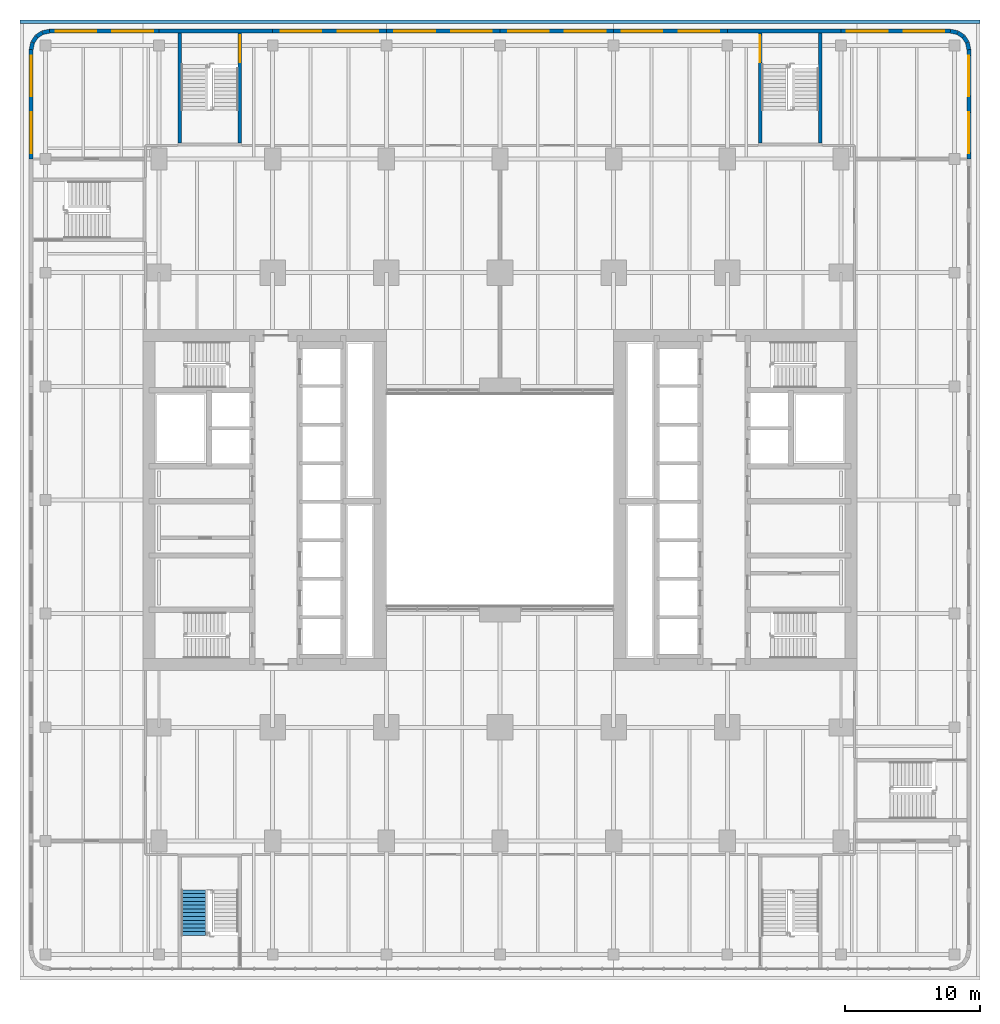
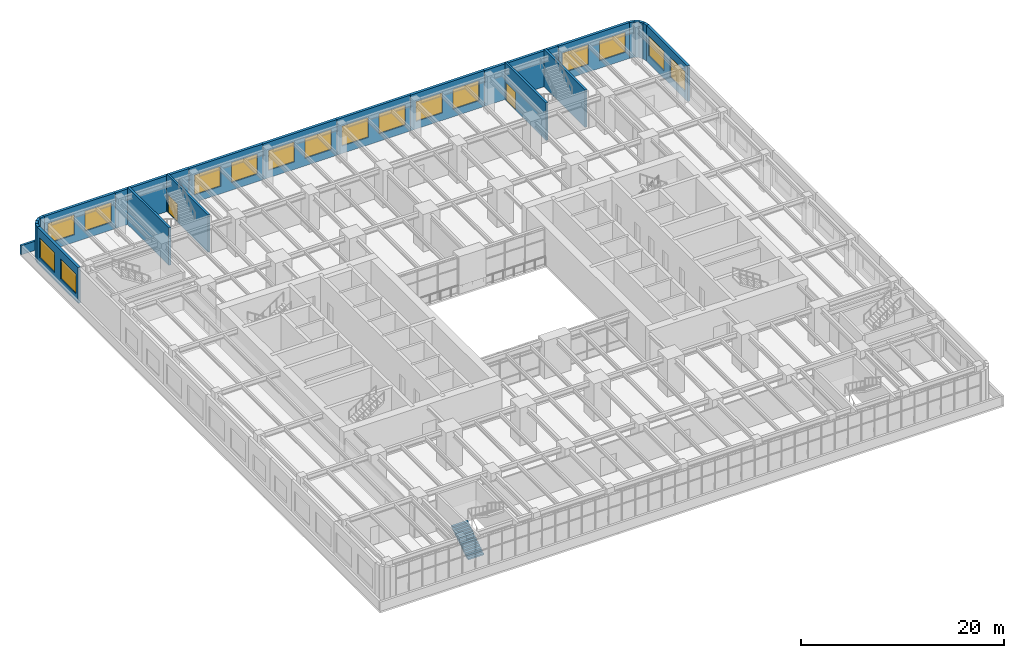
# One storey, part 22 of 30: 23 walls, 16 windows, 2 doors, 1 stair flight, 18 openings, 1 element without a shape of its own.
"""IFC4 building model written with IfcOpenShell, lengths in metres."""

import ifcopenshell
import ifcopenshell.guid

model = None  # the IFC model being written
_history = None  # IfcOwnerHistory: only IFC2X3 demands one
_inside = {}  # id of a spatial element -> (the spatial element, [elements in it])
_under = {}  # id of a project, library or spatial element -> (it, [spatial elements below it])
_declared = {}  # id of a project -> (the project, [libraries it declares])
_typed = {}  # id of a type object -> (the type object, [elements of that type])
_made_of = {}  # id of a material, layer set ... -> (it, [elements and type objects made of it])


def new_model(schema):
    """Start an empty IFC model of exactly this schema.

    Asked for "IFC4X3", IfcOpenShell would pick the latest addendum, in which some entities
    have other attributes; the version numbers below select the first issue.
    IFC2X3 requires an IfcOwnerHistory on every rooted entity: one is made here for all.
    """
    global model, _history
    if schema == "IFC4X3":
        model = ifcopenshell.file(schema_version=(4, 3, 0, 0))
    else:
        model = ifcopenshell.file(schema=schema)
    _inside.clear()
    _under.clear()
    _declared.clear()
    _typed.clear()
    _made_of.clear()
    _history = None
    if model.schema == "IFC2X3":
        org = make("IfcOrganization", Name="unknown")
        user = make(
            "IfcPersonAndOrganization",
            ThePerson=make("IfcPerson", FamilyName="unknown"),
            TheOrganization=org,
        )
        app = make(
            "IfcApplication",
            ApplicationDeveloper=org,
            Version="unknown",
            ApplicationFullName="unknown",
            ApplicationIdentifier="unknown",
        )
        _history = make(
            "IfcOwnerHistory",
            OwningUser=user,
            OwningApplication=app,
            ChangeAction="ADDED",
            CreationDate=0,
        )
    return model


def make(cls, **values):
    """One entity of the class cls with the attributes given. An attribute that is None is left unset."""
    return model.create_entity(
        cls, **{name: value for name, value in values.items() if value is not None}
    )


def rooted(cls, **values):
    """An entity with a GlobalId (a new one), such as an element, a storey or a relation."""
    return make(cls, GlobalId=ifcopenshell.guid.new(), OwnerHistory=_history, **values)


def si_unit(unit_type, name, prefix=None):
    """IfcSIUnit, for example si_unit("LENGTHUNIT", "METRE", prefix="MILLI")."""
    return make("IfcSIUnit", UnitType=unit_type, Prefix=prefix, Name=name)


def assignment(units):
    """IfcUnitAssignment: the units of a project."""
    return None if units is None else make("IfcUnitAssignment", Units=units)


def point(xyz):
    """IfcCartesianPoint."""
    return None if xyz is None else make("IfcCartesianPoint", Coordinates=xyz)


def direction(xyz):
    """IfcDirection."""
    return None if xyz is None else make("IfcDirection", DirectionRatios=xyz)


def frame(location, z_axis=None, x_axis=None):
    """IfcAxis2Placement3D, a coordinate frame: its origin and axes. An axis left out is left unset."""
    return make(
        "IfcAxis2Placement3D",
        Location=point(location),
        Axis=direction(z_axis),
        RefDirection=direction(x_axis),
    )


def frame_2d(location, x_axis=None):
    """IfcAxis2Placement2D, a coordinate frame in the plane: its origin and x axis."""
    return make(
        "IfcAxis2Placement2D", Location=point(location), RefDirection=direction(x_axis)
    )


def origin():
    """The frame at (0, 0, 0) with its axes left unset."""
    return frame((0.0, 0.0, 0.0))


def place(relative_to, where):
    """IfcLocalPlacement: puts the frame where relative to a parent placement (None: the world)."""
    return make(
        "IfcLocalPlacement", PlacementRelTo=relative_to, RelativePlacement=where
    )


def context(
    kind, dimensions, precision=None, world=None, true_north=None, identifier=None
):
    """IfcGeometricRepresentationContext, for example the 3D "Model" context."""
    return make(
        "IfcGeometricRepresentationContext",
        ContextIdentifier=identifier,
        ContextType=kind,
        CoordinateSpaceDimension=dimensions,
        Precision=precision,
        WorldCoordinateSystem=world,
        TrueNorth=true_north,
    )


def subcontext(parent, identifier, kind, view, scale=None):
    """IfcGeometricRepresentationSubContext, for example "Body" below "Model"."""
    return make(
        "IfcGeometricRepresentationSubContext",
        ContextIdentifier=identifier,
        ContextType=kind,
        ParentContext=parent,
        TargetScale=scale,
        TargetView=view,
    )


def project(units=None, contexts=None):
    """IfcProject with its units and contexts."""
    return rooted(
        "IfcProject",
        Name="project",
        RepresentationContexts=contexts,
        UnitsInContext=assignment(units),
    )


def spatial(cls, under=None, at=None, **own):
    """A site, building, storey or space (cls), placed at a placement, below another one or the project."""
    s = rooted(cls, ObjectPlacement=at, **own)
    if under is not None:
        _under.setdefault(under.id(), (under, []))[1].append(s)
    return s


def polyline(points):
    """IfcPolyline through the points."""
    return make("IfcPolyline", Points=[point(p) for p in points])


def profile(cls, at=None, kind="AREA", **sizes):
    """A parametric profile (cls). Its sizes go by their IFC names, for example OverallWidth=200.0."""
    return make(cls, ProfileType=kind, Position=at, **sizes)


def rectangle(**sizes):
    """IfcRectangleProfileDef."""
    return profile("IfcRectangleProfileDef", **sizes)


def outline(outer, holes=None, kind="AREA"):
    """IfcArbitraryClosedProfileDef: a profile drawn as a closed curve; with holes, ...WithVoids."""
    if holes is None:
        return make("IfcArbitraryClosedProfileDef", ProfileType=kind, OuterCurve=outer)
    return make(
        "IfcArbitraryProfileDefWithVoids",
        ProfileType=kind,
        OuterCurve=outer,
        InnerCurves=holes,
    )


def extrude(swept, where, along, depth):
    """IfcExtrudedAreaSolid: the profile swept, set in the frame where, extruded along a direction by depth."""
    return make(
        "IfcExtrudedAreaSolid",
        SweptArea=swept,
        Position=where,
        ExtrudedDirection=direction(along),
        Depth=depth,
    )


def shape(context_of_items, identifier, shape_type, items):
    """IfcShapeRepresentation: the items that make up one representation, for example the "Body"."""
    return make(
        "IfcShapeRepresentation",
        ContextOfItems=context_of_items,
        RepresentationIdentifier=identifier,
        RepresentationType=shape_type,
        Items=items,
    )


def material(Name=None, Category=None):
    """IfcMaterial."""
    return make("IfcMaterial", Name=Name, Category=Category)


def layer(
    of_material, thickness, ventilated=None, Name=None, Category=None, Priority=None
):
    """IfcMaterialLayer: one layer of a wall or slab, of a material (None: an air gap)."""
    return make(
        "IfcMaterialLayer",
        Material=of_material,
        LayerThickness=thickness,
        IsVentilated=ventilated,
        Name=Name,
        Category=Category,
        Priority=Priority,
    )


def layer_set(layers, Name=None):
    """IfcMaterialLayerSet."""
    return make("IfcMaterialLayerSet", MaterialLayers=layers, LayerSetName=Name)


def made_of(thing, what):
    """Note that an element or type object is made of a material, layer set ...; save() writes the relation."""
    if what is not None:
        _made_of.setdefault(what.id(), (what, []))[1].append(thing)
    return thing


def type_object(cls, material=None, **own):
    """A type object (cls), such as IfcWallType, which elements share."""
    return made_of(rooted(cls, **own), material)


def element(
    cls,
    number,
    at=None,
    inside=None,
    cuts=None,
    type_object=None,
    material=None,
    context=None,
    identifier="Body",
    shape_type=None,
    held_by="IfcProductDefinitionShape",
    body=None,
    shapes=None,
    **own,
):
    """One element of the class cls, such as IfcWall. Its Tag is "e" and its number.

    at: its placement. inside: the storey or other place that contains it. cuts: it is an
    opening in that element (IfcRelVoidsElement). A single representation is given by context,
    identifier, shape_type and body (its items); several are given by shapes. held_by: the class
    of the entity that holds the representations. save() writes the other relations.
    """
    e = rooted(cls, Tag="e%d" % number, ObjectPlacement=at, **own)
    if body is not None:
        shapes = [shape(context, identifier, shape_type, body)]
    if shapes is not None:
        e.Representation = make(held_by, Representations=shapes)
    if inside is not None:
        _inside.setdefault(inside.id(), (inside, []))[1].append(e)
    if cuts is not None:
        rooted(
            "IfcRelVoidsElement", RelatingBuildingElement=cuts, RelatedOpeningElement=e
        )
    if type_object is not None:
        _typed.setdefault(type_object.id(), (type_object, []))[1].append(e)
    return made_of(e, material)


def fill(opening, filler):
    """IfcRelFillsElement: the door or window that sits in an opening."""
    return rooted(
        "IfcRelFillsElement",
        RelatingOpeningElement=opening,
        RelatedBuildingElement=filler,
    )


def aggregate(whole, parts):
    """IfcRelAggregates: a whole, such as a stair, and the parts it consists of."""
    return rooted("IfcRelAggregates", RelatingObject=whole, RelatedObjects=parts)


def save(model, path):
    """Write the relations noted so far, then the file.

    IfcRelAggregates (storeys below a building ...), IfcRelContainedInSpatialStructure (elements
    in a storey), IfcRelDefinesByType, IfcRelAssociatesMaterial and IfcRelDeclares: one each for
    every whole, place, type object, material and project.
    """
    for whole, parts in _under.values():
        aggregate(whole, parts)
    for where, things in _inside.values():
        rooted(
            "IfcRelContainedInSpatialStructure",
            RelatedElements=things,
            RelatingStructure=where,
        )
    for kind, things in _typed.values():
        rooted("IfcRelDefinesByType", RelatedObjects=things, RelatingType=kind)
    for what, things in _made_of.values():
        rooted("IfcRelAssociatesMaterial", RelatedObjects=things, RelatingMaterial=what)
    for by, libraries in _declared.values():
        rooted("IfcRelDeclares", RelatingContext=by, RelatedDefinitions=libraries)
    model.write(path)


model = new_model("IFC4")

# Units and contexts
model_context = context("Model", 3, precision=1e-05, world=origin(), true_north=direction((0.0, 1.0)))
body_context = subcontext(model_context, "Body", "Model", "MODEL_VIEW")
ifc_project = project(units=[si_unit("LENGTHUNIT", "METRE"), si_unit("AREAUNIT", "SQUARE_METRE"), si_unit("VOLUMEUNIT", "CUBIC_METRE"), si_unit("PLANEANGLEUNIT", "RADIAN"), si_unit("MASSUNIT", "GRAM", prefix="KILO")], contexts=[model_context])

# Site, building, storey
site_placement = place(None, origin())
site = spatial("IfcSite", under=ifc_project, at=site_placement, CompositionType="ELEMENT")
building_placement = place(site_placement, origin())
building = spatial("IfcBuilding", under=site, at=building_placement, Name="Claustro Exchange Tower", CompositionType="ELEMENT")
storey_placement = place(building_placement, frame((0.0, 0.0, 5.39990234375)))
storey = spatial("IfcBuildingStorey", under=building, at=storey_placement, Name="L01", CompositionType="ELEMENT", Elevation=5.39990234375)

# Wall, openings, windows
ifc_material_1 = material(Name="Concrete HA-40 (C40/50), precast, white cement, acid-etched", Category="concrete")
ifc_layer_1 = layer(ifc_material_1, 0.300048828125)
ifc_layer_set_1 = layer_set([ifc_layer_1], Name="Concrete HA-40 (C40/50), precast, white cement, acid-etched")
wall_type_1 = type_object("IfcWallType", Name="PC1 300 precast concrete pier panel", PredefinedType="SOLIDWALL", material=ifc_layer_set_1)
wall_1_placement = place(storey_placement, frame((-9.449951171875, 50.39990234375, 0.0), z_axis=(0.0, 0.0, 1.0), x_axis=(0.0, 1.0, 0.0)))
wall_1 = element("IfcWall", 1, at=wall_1_placement, inside=storey, type_object=wall_type_1, Name="Precast pier panel PC1 L01", PredefinedType="SOLIDWALL", context=body_context, shape_type="SweptSolid", body=[
    extrude(rectangle(XDim=8.085205078125, YDim=0.300048828125, at=frame_2d((4.04248046875, 0.0))), origin(), (0.0, 0.0, 1.0), 4.300048828125),
])
opening_1_placement = place(wall_1_placement, frame((0.442626953125, 0.0, 0.89990234375)))
opening_1 = element("IfcOpeningElement", 2, at=opening_1_placement, cuts=wall_1, Name="Opening W3", PredefinedType="OPENING", context=body_context, shape_type="SweptSolid", body=[
    extrude(rectangle(XDim=3.0, YDim=2.39990234375, at=frame_2d((1.5, 1.199951171875))), frame((0.0, 0.159912109375, 0.0), z_axis=(0.0, -1.0, 0.0), x_axis=(1.0, 0.0, 0.0)), (0.0, 0.0, 1.0), 0.320068359375),
])
opening_2_placement = place(wall_1_placement, frame((4.642578125, 0.0, 0.89990234375)))
opening_2 = element("IfcOpeningElement", 3, at=opening_2_placement, cuts=wall_1, Name="Opening W3", PredefinedType="OPENING", context=body_context, shape_type="SweptSolid", body=[
    extrude(rectangle(XDim=3.0, YDim=2.39990234375, at=frame_2d((1.5, 1.199951171875))), frame((0.0, 0.159912109375, 0.0), z_axis=(0.0, -1.0, 0.0), x_axis=(1.0, 0.0, 0.0)), (0.0, 0.0, 1.0), 0.320068359375),
])
ifc_material_2 = material(Name="Aluminium frame, clear double glazing", Category="aluminium")
window_type = type_object("IfcWindowType", Name="W3 3000 x 2400 window", PartitioningType="SINGLE_PANEL", PredefinedType="WINDOW", material=ifc_material_2)
window_1_placement = place(opening_1_placement, origin())
window_1 = element("IfcWindow", 4, at=window_1_placement, inside=storey, type_object=window_type, Name="Window W3 L01", OverallHeight=2.39990234375, OverallWidth=3.0, PartitioningType="SINGLE_PANEL", PredefinedType="WINDOW", context=body_context, shape_type="SweptSolid", body=[
    extrude(rectangle(XDim=3.0, YDim=2.39990234375, at=frame_2d((1.5, 1.199951171875))), frame((0.0, 0.030029296875, 0.0), z_axis=(0.0, -1.0, 0.0), x_axis=(1.0, 0.0, 0.0)), (0.0, 0.0, 1.0), 0.06005859375),
])
fill(opening_1, window_1)
window_2_placement = place(opening_2_placement, origin())
window_2 = element("IfcWindow", 5, at=window_2_placement, inside=storey, type_object=window_type, Name="Window W3 L01", OverallHeight=2.39990234375, OverallWidth=3.0, PartitioningType="SINGLE_PANEL", PredefinedType="WINDOW", context=body_context, shape_type="SweptSolid", body=[
    extrude(rectangle(XDim=3.0, YDim=2.39990234375, at=frame_2d((1.5, 1.199951171875))), frame((0.0, 0.030029296875, 0.0), z_axis=(0.0, -1.0, 0.0), x_axis=(1.0, 0.0, 0.0)), (0.0, 0.0, 1.0), 0.06005859375),
])
fill(opening_2, window_2)

# Walls
wall_2_placement = place(storey_placement, frame((-9.449951171875, 58.485107421875, 0.0), z_axis=(0.0, 0.0, 1.0), x_axis=(0.195073962632, 0.980788534345, 0.0)))
element("IfcWall", 6, at=wall_2_placement, inside=storey, type_object=wall_type_1, Name="Precast pier panel PC1 L01", PredefinedType="SOLIDWALL", context=body_context, shape_type="SweptSolid", body=[
    extrude(rectangle(XDim=0.540771484375, YDim=0.300048828125, at=frame_2d((0.2705078125, 0.0))), origin(), (0.0, 0.0, 1.0), 4.300048828125),
])
wall_3_placement = place(storey_placement, frame((-9.344482421875, 59.015380859375, 0.0), z_axis=(0.0, 0.0, 1.0), x_axis=(0.55534295404, 0.831621430339, 0.0)))
element("IfcWall", 7, at=wall_3_placement, inside=storey, type_object=wall_type_1, Name="Precast pier panel PC1 L01", PredefinedType="SOLIDWALL", context=body_context, shape_type="SweptSolid", body=[
    extrude(rectangle(XDim=0.52587890625, YDim=0.300048828125, at=frame_2d((0.262939453125, 0.0))), origin(), (0.0, 0.0, 1.0), 4.300048828125),
])
wall_4_placement = place(storey_placement, frame((-9.052490234375, 59.45263671875, 0.0), z_axis=(0.0, 0.0, 1.0), x_axis=(0.831692711774, 0.555236195849, 0.0)))
element("IfcWall", 8, at=wall_4_placement, inside=storey, type_object=wall_type_1, Name="Precast pier panel PC1 L01", PredefinedType="SOLIDWALL", context=body_context, shape_type="SweptSolid", body=[
    extrude(rectangle(XDim=0.525390625, YDim=0.300048828125, at=frame_2d((0.2626953125, 0.0))), origin(), (0.0, 0.0, 1.0), 4.300048828125),
])
wall_5_placement = place(storey_placement, frame((-8.615478515625, 59.744384765625, 0.0), z_axis=(0.0, 0.0, 1.0), x_axis=(0.980702050465, 0.1955082817, 0.0)))
element("IfcWall", 9, at=wall_5_placement, inside=storey, type_object=wall_type_1, Name="Precast pier panel PC1 L01", PredefinedType="SOLIDWALL", context=body_context, shape_type="SweptSolid", body=[
    extrude(rectangle(XDim=0.540771484375, YDim=0.300048828125, at=frame_2d((0.2705078125, 0.0))), origin(), (0.0, 0.0, 1.0), 4.300048828125),
])

# Wall, openings, windows
wall_6_placement = place(storey_placement, frame((-8.085205078125, 59.85009765625, 0.0), z_axis=(0.0, 0.0, 1.0), x_axis=(1.0, 0.0, 0.0)))
wall_6 = element("IfcWall", 10, at=wall_6_placement, inside=storey, type_object=wall_type_1, Name="Precast pier panel PC1 L01", PredefinedType="SOLIDWALL", context=body_context, shape_type="SweptSolid", body=[
    extrude(rectangle(XDim=8.085205078125, YDim=0.300048828125, at=frame_2d((4.04248046875, 0.0))), origin(), (0.0, 0.0, 1.0), 4.300048828125),
])
opening_3_placement = place(wall_6_placement, frame((0.442626953125, 0.0, 0.89990234375)))
opening_3 = element("IfcOpeningElement", 11, at=opening_3_placement, cuts=wall_6, Name="Opening W3", PredefinedType="OPENING", context=body_context, shape_type="SweptSolid", body=[
    extrude(rectangle(XDim=3.0, YDim=2.39990234375, at=frame_2d((1.5, 1.199951171875))), frame((0.0, 0.159912109375, 0.0), z_axis=(0.0, -1.0, 0.0), x_axis=(1.0, 0.0, 0.0)), (0.0, 0.0, 1.0), 0.320068359375),
])
opening_4_placement = place(wall_6_placement, frame((4.642578125, 0.0, 0.89990234375)))
opening_4 = element("IfcOpeningElement", 12, at=opening_4_placement, cuts=wall_6, Name="Opening W3", PredefinedType="OPENING", context=body_context, shape_type="SweptSolid", body=[
    extrude(rectangle(XDim=3.0, YDim=2.39990234375, at=frame_2d((1.5, 1.199951171875))), frame((0.0, 0.159912109375, 0.0), z_axis=(0.0, -1.0, 0.0), x_axis=(1.0, 0.0, 0.0)), (0.0, 0.0, 1.0), 0.320068359375),
])
window_3_placement = place(opening_3_placement, origin())
window_3 = element("IfcWindow", 13, at=window_3_placement, inside=storey, type_object=window_type, Name="Window W3 L01", OverallHeight=2.39990234375, OverallWidth=3.0, PartitioningType="SINGLE_PANEL", PredefinedType="WINDOW", context=body_context, shape_type="SweptSolid", body=[
    extrude(rectangle(XDim=3.0, YDim=2.39990234375, at=frame_2d((1.5, 1.199951171875))), frame((0.0, 0.030029296875, 0.0), z_axis=(0.0, -1.0, 0.0), x_axis=(1.0, 0.0, 0.0)), (0.0, 0.0, 1.0), 0.06005859375),
])
fill(opening_3, window_3)
window_4_placement = place(opening_4_placement, origin())
window_4 = element("IfcWindow", 14, at=window_4_placement, inside=storey, type_object=window_type, Name="Window W3 L01", OverallHeight=2.39990234375, OverallWidth=3.0, PartitioningType="SINGLE_PANEL", PredefinedType="WINDOW", context=body_context, shape_type="SweptSolid", body=[
    extrude(rectangle(XDim=3.0, YDim=2.39990234375, at=frame_2d((1.5, 1.199951171875))), frame((0.0, 0.030029296875, 0.0), z_axis=(0.0, -1.0, 0.0), x_axis=(1.0, 0.0, 0.0)), (0.0, 0.0, 1.0), 0.06005859375),
])
fill(opening_4, window_4)

# Wall
wall_7_placement = place(storey_placement, frame((0.0, 59.85009765625, 0.0), z_axis=(0.0, 0.0, 1.0), x_axis=(1.0, 0.0, 0.0)))
element("IfcWall", 15, at=wall_7_placement, inside=storey, type_object=wall_type_1, Name="Precast pier panel PC1 L01", PredefinedType="SOLIDWALL", context=body_context, shape_type="SweptSolid", body=[
    extrude(rectangle(XDim=8.39990234375, YDim=0.300048828125, at=frame_2d((4.199951171875, 0.0))), origin(), (0.0, 0.0, 1.0), 4.300048828125),
])

# Wall, openings, windows
wall_8_placement = place(storey_placement, frame((8.39990234375, 59.85009765625, 0.0), z_axis=(0.0, 0.0, 1.0), x_axis=(1.0, 0.0, 0.0)))
wall_8 = element("IfcWall", 16, at=wall_8_placement, inside=storey, type_object=wall_type_1, Name="Precast pier panel PC1 L01", PredefinedType="SOLIDWALL", context=body_context, shape_type="SweptSolid", body=[
    extrude(rectangle(XDim=8.400146484375, YDim=0.300048828125, at=frame_2d((4.2001953125, 0.0))), origin(), (0.0, 0.0, 1.0), 4.300048828125),
])
opening_5_placement = place(wall_8_placement, frame((0.60009765625, 0.0, 0.89990234375)))
opening_5 = element("IfcOpeningElement", 17, at=opening_5_placement, cuts=wall_8, Name="Opening W3", PredefinedType="OPENING", context=body_context, shape_type="SweptSolid", body=[
    extrude(rectangle(XDim=3.0, YDim=2.39990234375, at=frame_2d((1.5, 1.199951171875))), frame((0.0, 0.159912109375, 0.0), z_axis=(0.0, -1.0, 0.0), x_axis=(1.0, 0.0, 0.0)), (0.0, 0.0, 1.0), 0.320068359375),
])
opening_6_placement = place(wall_8_placement, frame((4.800048828125, 0.0, 0.89990234375)))
opening_6 = element("IfcOpeningElement", 18, at=opening_6_placement, cuts=wall_8, Name="Opening W3", PredefinedType="OPENING", context=body_context, shape_type="SweptSolid", body=[
    extrude(rectangle(XDim=3.0, YDim=2.39990234375, at=frame_2d((1.5, 1.199951171875))), frame((0.0, 0.159912109375, 0.0), z_axis=(0.0, -1.0, 0.0), x_axis=(1.0, 0.0, 0.0)), (0.0, 0.0, 1.0), 0.320068359375),
])
window_5_placement = place(opening_5_placement, origin())
window_5 = element("IfcWindow", 19, at=window_5_placement, inside=storey, type_object=window_type, Name="Window W3 L01", OverallHeight=2.39990234375, OverallWidth=3.0, PartitioningType="SINGLE_PANEL", PredefinedType="WINDOW", context=body_context, shape_type="SweptSolid", body=[
    extrude(rectangle(XDim=3.0, YDim=2.39990234375, at=frame_2d((1.5, 1.199951171875))), frame((0.0, 0.030029296875, 0.0), z_axis=(0.0, -1.0, 0.0), x_axis=(1.0, 0.0, 0.0)), (0.0, 0.0, 1.0), 0.06005859375),
])
fill(opening_5, window_5)
window_6_placement = place(opening_6_placement, origin())
window_6 = element("IfcWindow", 20, at=window_6_placement, inside=storey, type_object=window_type, Name="Window W3 L01", OverallHeight=2.39990234375, OverallWidth=3.0, PartitioningType="SINGLE_PANEL", PredefinedType="WINDOW", context=body_context, shape_type="SweptSolid", body=[
    extrude(rectangle(XDim=3.0, YDim=2.39990234375, at=frame_2d((1.5, 1.199951171875))), frame((0.0, 0.030029296875, 0.0), z_axis=(0.0, -1.0, 0.0), x_axis=(1.0, 0.0, 0.0)), (0.0, 0.0, 1.0), 0.06005859375),
])
fill(opening_6, window_6)

wall_9_placement = place(storey_placement, frame((16.800048828125, 59.85009765625, 0.0), z_axis=(0.0, 0.0, 1.0), x_axis=(1.0, 0.0, 0.0)))
wall_9 = element("IfcWall", 21, at=wall_9_placement, inside=storey, type_object=wall_type_1, Name="Precast pier panel PC1 L01", PredefinedType="SOLIDWALL", context=body_context, shape_type="SweptSolid", body=[
    extrude(rectangle(XDim=8.39990234375, YDim=0.300048828125, at=frame_2d((4.199951171875, 0.0))), origin(), (0.0, 0.0, 1.0), 4.300048828125),
])
opening_7_placement = place(wall_9_placement, frame((0.60009765625, 0.0, 0.89990234375)))
opening_7 = element("IfcOpeningElement", 22, at=opening_7_placement, cuts=wall_9, Name="Opening W3", PredefinedType="OPENING", context=body_context, shape_type="SweptSolid", body=[
    extrude(rectangle(XDim=3.0, YDim=2.39990234375, at=frame_2d((1.5, 1.199951171875))), frame((0.0, 0.159912109375, 0.0), z_axis=(0.0, -1.0, 0.0), x_axis=(1.0, 0.0, 0.0)), (0.0, 0.0, 1.0), 0.320068359375),
])
opening_8_placement = place(wall_9_placement, frame((4.800048828125, 0.0, 0.89990234375)))
opening_8 = element("IfcOpeningElement", 23, at=opening_8_placement, cuts=wall_9, Name="Opening W3", PredefinedType="OPENING", context=body_context, shape_type="SweptSolid", body=[
    extrude(rectangle(XDim=3.0, YDim=2.39990234375, at=frame_2d((1.5, 1.199951171875))), frame((0.0, 0.159912109375, 0.0), z_axis=(0.0, -1.0, 0.0), x_axis=(1.0, 0.0, 0.0)), (0.0, 0.0, 1.0), 0.320068359375),
])
window_7_placement = place(opening_7_placement, origin())
window_7 = element("IfcWindow", 24, at=window_7_placement, inside=storey, type_object=window_type, Name="Window W3 L01", OverallHeight=2.39990234375, OverallWidth=3.0, PartitioningType="SINGLE_PANEL", PredefinedType="WINDOW", context=body_context, shape_type="SweptSolid", body=[
    extrude(rectangle(XDim=3.0, YDim=2.39990234375, at=frame_2d((1.5, 1.199951171875))), frame((0.0, 0.030029296875, 0.0), z_axis=(0.0, -1.0, 0.0), x_axis=(1.0, 0.0, 0.0)), (0.0, 0.0, 1.0), 0.06005859375),
])
fill(opening_7, window_7)
window_8_placement = place(opening_8_placement, origin())
window_8 = element("IfcWindow", 25, at=window_8_placement, inside=storey, type_object=window_type, Name="Window W3 L01", OverallHeight=2.39990234375, OverallWidth=3.0, PartitioningType="SINGLE_PANEL", PredefinedType="WINDOW", context=body_context, shape_type="SweptSolid", body=[
    extrude(rectangle(XDim=3.0, YDim=2.39990234375, at=frame_2d((1.5, 1.199951171875))), frame((0.0, 0.030029296875, 0.0), z_axis=(0.0, -1.0, 0.0), x_axis=(1.0, 0.0, 0.0)), (0.0, 0.0, 1.0), 0.06005859375),
])
fill(opening_8, window_8)

wall_10_placement = place(storey_placement, frame((25.199951171875, 59.85009765625, 0.0), z_axis=(0.0, 0.0, 1.0), x_axis=(1.0, 0.0, 0.0)))
wall_10 = element("IfcWall", 26, at=wall_10_placement, inside=storey, type_object=wall_type_1, Name="Precast pier panel PC1 L01", PredefinedType="SOLIDWALL", context=body_context, shape_type="SweptSolid", body=[
    extrude(rectangle(XDim=8.400146484375, YDim=0.300048828125, at=frame_2d((4.2001953125, 0.0))), origin(), (0.0, 0.0, 1.0), 4.300048828125),
])
opening_9_placement = place(wall_10_placement, frame((0.60009765625, 0.0, 0.89990234375)))
opening_9 = element("IfcOpeningElement", 27, at=opening_9_placement, cuts=wall_10, Name="Opening W3", PredefinedType="OPENING", context=body_context, shape_type="SweptSolid", body=[
    extrude(rectangle(XDim=3.0, YDim=2.39990234375, at=frame_2d((1.5, 1.199951171875))), frame((0.0, 0.159912109375, 0.0), z_axis=(0.0, -1.0, 0.0), x_axis=(1.0, 0.0, 0.0)), (0.0, 0.0, 1.0), 0.320068359375),
])
opening_10_placement = place(wall_10_placement, frame((4.800048828125, 0.0, 0.89990234375)))
opening_10 = element("IfcOpeningElement", 28, at=opening_10_placement, cuts=wall_10, Name="Opening W3", PredefinedType="OPENING", context=body_context, shape_type="SweptSolid", body=[
    extrude(rectangle(XDim=3.0, YDim=2.39990234375, at=frame_2d((1.5, 1.199951171875))), frame((0.0, 0.159912109375, 0.0), z_axis=(0.0, -1.0, 0.0), x_axis=(1.0, 0.0, 0.0)), (0.0, 0.0, 1.0), 0.320068359375),
])
window_9_placement = place(opening_9_placement, origin())
window_9 = element("IfcWindow", 29, at=window_9_placement, inside=storey, type_object=window_type, Name="Window W3 L01", OverallHeight=2.39990234375, OverallWidth=3.0, PartitioningType="SINGLE_PANEL", PredefinedType="WINDOW", context=body_context, shape_type="SweptSolid", body=[
    extrude(rectangle(XDim=3.0, YDim=2.39990234375, at=frame_2d((1.5, 1.199951171875))), frame((0.0, 0.030029296875, 0.0), z_axis=(0.0, -1.0, 0.0), x_axis=(1.0, 0.0, 0.0)), (0.0, 0.0, 1.0), 0.06005859375),
])
fill(opening_9, window_9)
window_10_placement = place(opening_10_placement, origin())
window_10 = element("IfcWindow", 30, at=window_10_placement, inside=storey, type_object=window_type, Name="Window W3 L01", OverallHeight=2.39990234375, OverallWidth=3.0, PartitioningType="SINGLE_PANEL", PredefinedType="WINDOW", context=body_context, shape_type="SweptSolid", body=[
    extrude(rectangle(XDim=3.0, YDim=2.39990234375, at=frame_2d((1.5, 1.199951171875))), frame((0.0, 0.030029296875, 0.0), z_axis=(0.0, -1.0, 0.0), x_axis=(1.0, 0.0, 0.0)), (0.0, 0.0, 1.0), 0.06005859375),
])
fill(opening_10, window_10)

wall_11_placement = place(storey_placement, frame((33.60009765625, 59.85009765625, 0.0), z_axis=(0.0, 0.0, 1.0), x_axis=(1.0, 0.0, 0.0)))
wall_11 = element("IfcWall", 31, at=wall_11_placement, inside=storey, type_object=wall_type_1, Name="Precast pier panel PC1 L01", PredefinedType="SOLIDWALL", context=body_context, shape_type="SweptSolid", body=[
    extrude(rectangle(XDim=8.39990234375, YDim=0.300048828125, at=frame_2d((4.199951171875, 0.0))), origin(), (0.0, 0.0, 1.0), 4.300048828125),
])
opening_11_placement = place(wall_11_placement, frame((0.60009765625, 0.0, 0.89990234375)))
opening_11 = element("IfcOpeningElement", 32, at=opening_11_placement, cuts=wall_11, Name="Opening W3", PredefinedType="OPENING", context=body_context, shape_type="SweptSolid", body=[
    extrude(rectangle(XDim=3.0, YDim=2.39990234375, at=frame_2d((1.5, 1.199951171875))), frame((0.0, 0.159912109375, 0.0), z_axis=(0.0, -1.0, 0.0), x_axis=(1.0, 0.0, 0.0)), (0.0, 0.0, 1.0), 0.320068359375),
])
opening_12_placement = place(wall_11_placement, frame((4.800048828125, 0.0, 0.89990234375)))
opening_12 = element("IfcOpeningElement", 33, at=opening_12_placement, cuts=wall_11, Name="Opening W3", PredefinedType="OPENING", context=body_context, shape_type="SweptSolid", body=[
    extrude(rectangle(XDim=3.0, YDim=2.39990234375, at=frame_2d((1.5, 1.199951171875))), frame((0.0, 0.159912109375, 0.0), z_axis=(0.0, -1.0, 0.0), x_axis=(1.0, 0.0, 0.0)), (0.0, 0.0, 1.0), 0.320068359375),
])
window_11_placement = place(opening_11_placement, origin())
window_11 = element("IfcWindow", 34, at=window_11_placement, inside=storey, type_object=window_type, Name="Window W3 L01", OverallHeight=2.39990234375, OverallWidth=3.0, PartitioningType="SINGLE_PANEL", PredefinedType="WINDOW", context=body_context, shape_type="SweptSolid", body=[
    extrude(rectangle(XDim=3.0, YDim=2.39990234375, at=frame_2d((1.5, 1.199951171875))), frame((0.0, 0.030029296875, 0.0), z_axis=(0.0, -1.0, 0.0), x_axis=(1.0, 0.0, 0.0)), (0.0, 0.0, 1.0), 0.06005859375),
])
fill(opening_11, window_11)
window_12_placement = place(opening_12_placement, origin())
window_12 = element("IfcWindow", 35, at=window_12_placement, inside=storey, type_object=window_type, Name="Window W3 L01", OverallHeight=2.39990234375, OverallWidth=3.0, PartitioningType="SINGLE_PANEL", PredefinedType="WINDOW", context=body_context, shape_type="SweptSolid", body=[
    extrude(rectangle(XDim=3.0, YDim=2.39990234375, at=frame_2d((1.5, 1.199951171875))), frame((0.0, 0.030029296875, 0.0), z_axis=(0.0, -1.0, 0.0), x_axis=(1.0, 0.0, 0.0)), (0.0, 0.0, 1.0), 0.06005859375),
])
fill(opening_12, window_12)

# Wall
wall_12_placement = place(storey_placement, frame((42.0, 59.85009765625, 0.0), z_axis=(0.0, 0.0, 1.0), x_axis=(1.0, 0.0, 0.0)))
element("IfcWall", 36, at=wall_12_placement, inside=storey, type_object=wall_type_1, Name="Precast pier panel PC1 L01", PredefinedType="SOLIDWALL", context=body_context, shape_type="SweptSolid", body=[
    extrude(rectangle(XDim=8.39990234375, YDim=0.300048828125, at=frame_2d((4.199951171875, 0.0))), origin(), (0.0, 0.0, 1.0), 4.300048828125),
])

# Wall, openings, windows
wall_13_placement = place(storey_placement, frame((50.39990234375, 59.85009765625, 0.0), z_axis=(0.0, 0.0, 1.0), x_axis=(1.0, 0.0, 0.0)))
wall_13 = element("IfcWall", 37, at=wall_13_placement, inside=storey, type_object=wall_type_1, Name="Precast pier panel PC1 L01", PredefinedType="SOLIDWALL", context=body_context, shape_type="SweptSolid", body=[
    extrude(rectangle(XDim=8.085205078125, YDim=0.300048828125, at=frame_2d((4.04248046875, 0.0))), origin(), (0.0, 0.0, 1.0), 4.300048828125),
])
opening_13_placement = place(wall_13_placement, frame((0.442626953125, 0.0, 0.89990234375)))
opening_13 = element("IfcOpeningElement", 38, at=opening_13_placement, cuts=wall_13, Name="Opening W3", PredefinedType="OPENING", context=body_context, shape_type="SweptSolid", body=[
    extrude(rectangle(XDim=3.0, YDim=2.39990234375, at=frame_2d((1.5, 1.199951171875))), frame((0.0, 0.159912109375, 0.0), z_axis=(0.0, -1.0, 0.0), x_axis=(1.0, 0.0, 0.0)), (0.0, 0.0, 1.0), 0.320068359375),
])
opening_14_placement = place(wall_13_placement, frame((4.642578125, 0.0, 0.89990234375)))
opening_14 = element("IfcOpeningElement", 39, at=opening_14_placement, cuts=wall_13, Name="Opening W3", PredefinedType="OPENING", context=body_context, shape_type="SweptSolid", body=[
    extrude(rectangle(XDim=3.0, YDim=2.39990234375, at=frame_2d((1.5, 1.199951171875))), frame((0.0, 0.159912109375, 0.0), z_axis=(0.0, -1.0, 0.0), x_axis=(1.0, 0.0, 0.0)), (0.0, 0.0, 1.0), 0.320068359375),
])
window_13_placement = place(opening_13_placement, origin())
window_13 = element("IfcWindow", 40, at=window_13_placement, inside=storey, type_object=window_type, Name="Window W3 L01", OverallHeight=2.39990234375, OverallWidth=3.0, PartitioningType="SINGLE_PANEL", PredefinedType="WINDOW", context=body_context, shape_type="SweptSolid", body=[
    extrude(rectangle(XDim=3.0, YDim=2.39990234375, at=frame_2d((1.5, 1.199951171875))), frame((0.0, 0.030029296875, 0.0), z_axis=(0.0, -1.0, 0.0), x_axis=(1.0, 0.0, 0.0)), (0.0, 0.0, 1.0), 0.06005859375),
])
fill(opening_13, window_13)
window_14_placement = place(opening_14_placement, origin())
window_14 = element("IfcWindow", 41, at=window_14_placement, inside=storey, type_object=window_type, Name="Window W3 L01", OverallHeight=2.39990234375, OverallWidth=3.0, PartitioningType="SINGLE_PANEL", PredefinedType="WINDOW", context=body_context, shape_type="SweptSolid", body=[
    extrude(rectangle(XDim=3.0, YDim=2.39990234375, at=frame_2d((1.5, 1.199951171875))), frame((0.0, 0.030029296875, 0.0), z_axis=(0.0, -1.0, 0.0), x_axis=(1.0, 0.0, 0.0)), (0.0, 0.0, 1.0), 0.06005859375),
])
fill(opening_14, window_14)

# Walls
wall_14_placement = place(storey_placement, frame((58.485107421875, 59.85009765625, 0.0), z_axis=(0.0, 0.0, 1.0), x_axis=(0.980702050465, -0.1955082817, 0.0)))
element("IfcWall", 42, at=wall_14_placement, inside=storey, type_object=wall_type_1, Name="Precast pier panel PC1 L01", PredefinedType="SOLIDWALL", context=body_context, shape_type="SweptSolid", body=[
    extrude(rectangle(XDim=0.540771484375, YDim=0.300048828125, at=frame_2d((0.2705078125, 0.0))), origin(), (0.0, 0.0, 1.0), 4.300048828125),
])
for number, where, z_axis, x_axis, name in (
    (43, (59.015380859375, 59.744384765625, 0.0), (0.0, 0.0, 1.0), (0.831835869144, -0.555021699401, 0.0), "Precast pier panel PC1 L01"),
    (44, (59.45263671875, 59.45263671875, 0.0), (0.0, 0.0, 1.0), (0.555021699401, -0.831835869144, 0.0), "Precast pier panel PC1 L01"),
):
    element("IfcWall", number, at=place(storey_placement, frame(where, z_axis=z_axis, x_axis=x_axis)), inside=storey, type_object=wall_type_1, Name=name, PredefinedType="SOLIDWALL", context=body_context, shape_type="SweptSolid", body=[
        extrude(rectangle(XDim=0.525634765625, YDim=0.300048828125, at=frame_2d((0.2626953125, 0.0))), origin(), (0.0, 0.0, 1.0), 4.300048828125),
    ])
wall_15_placement = place(storey_placement, frame((59.744384765625, 59.015380859375, 0.0), z_axis=(0.0, 0.0, 1.0), x_axis=(0.1955082817, -0.980702050465, 0.0)))
element("IfcWall", 45, at=wall_15_placement, inside=storey, type_object=wall_type_1, Name="Precast pier panel PC1 L01", PredefinedType="SOLIDWALL", context=body_context, shape_type="SweptSolid", body=[
    extrude(rectangle(XDim=0.540771484375, YDim=0.300048828125, at=frame_2d((0.2705078125, 0.0))), origin(), (0.0, 0.0, 1.0), 4.300048828125),
])

# Wall, openings, windows
wall_16_placement = place(storey_placement, frame((59.85009765625, 58.485107421875, 0.0), z_axis=(0.0, 0.0, 1.0), x_axis=(0.0, -1.0, 0.0)))
wall_16 = element("IfcWall", 46, at=wall_16_placement, inside=storey, type_object=wall_type_1, Name="Precast pier panel PC1 L01", PredefinedType="SOLIDWALL", context=body_context, shape_type="SweptSolid", body=[
    extrude(rectangle(XDim=8.085205078125, YDim=0.300048828125, at=frame_2d((4.04248046875, 0.0))), origin(), (0.0, 0.0, 1.0), 4.300048828125),
])
opening_15_placement = place(wall_16_placement, frame((0.442626953125, 0.0, 0.89990234375)))
opening_15 = element("IfcOpeningElement", 47, at=opening_15_placement, cuts=wall_16, Name="Opening W3", PredefinedType="OPENING", context=body_context, shape_type="SweptSolid", body=[
    extrude(rectangle(XDim=3.0, YDim=2.39990234375, at=frame_2d((1.5, 1.199951171875))), frame((0.0, 0.159912109375, 0.0), z_axis=(0.0, -1.0, 0.0), x_axis=(1.0, 0.0, 0.0)), (0.0, 0.0, 1.0), 0.320068359375),
])
opening_16_placement = place(wall_16_placement, frame((4.642578125, 0.0, 0.89990234375)))
opening_16 = element("IfcOpeningElement", 48, at=opening_16_placement, cuts=wall_16, Name="Opening W3", PredefinedType="OPENING", context=body_context, shape_type="SweptSolid", body=[
    extrude(rectangle(XDim=3.0, YDim=2.39990234375, at=frame_2d((1.5, 1.199951171875))), frame((0.0, 0.159912109375, 0.0), z_axis=(0.0, -1.0, 0.0), x_axis=(1.0, 0.0, 0.0)), (0.0, 0.0, 1.0), 0.320068359375),
])
window_15_placement = place(opening_15_placement, origin())
window_15 = element("IfcWindow", 49, at=window_15_placement, inside=storey, type_object=window_type, Name="Window W3 L01", OverallHeight=2.39990234375, OverallWidth=3.0, PartitioningType="SINGLE_PANEL", PredefinedType="WINDOW", context=body_context, shape_type="SweptSolid", body=[
    extrude(rectangle(XDim=3.0, YDim=2.39990234375, at=frame_2d((1.5, 1.199951171875))), frame((0.0, 0.030029296875, 0.0), z_axis=(0.0, -1.0, 0.0), x_axis=(1.0, 0.0, 0.0)), (0.0, 0.0, 1.0), 0.06005859375),
])
fill(opening_15, window_15)
window_16_placement = place(opening_16_placement, origin())
window_16 = element("IfcWindow", 50, at=window_16_placement, inside=storey, type_object=window_type, Name="Window W3 L01", OverallHeight=2.39990234375, OverallWidth=3.0, PartitioningType="SINGLE_PANEL", PredefinedType="WINDOW", context=body_context, shape_type="SweptSolid", body=[
    extrude(rectangle(XDim=3.0, YDim=2.39990234375, at=frame_2d((1.5, 1.199951171875))), frame((0.0, 0.030029296875, 0.0), z_axis=(0.0, -1.0, 0.0), x_axis=(1.0, 0.0, 0.0)), (0.0, 0.0, 1.0), 0.06005859375),
])
fill(opening_16, window_16)

# Walls
ifc_material_3 = material(Name="Concrete HA-40 (C40/50), precast, white cement, acid-etched", Category="concrete")
ifc_layer_2 = layer(ifc_material_3, 0.25)
ifc_layer_set_2 = layer_set([ifc_layer_2], Name="Concrete HA-40 (C40/50), precast, white cement, acid-etched")
wall_type_2 = type_object("IfcWallType", Name="PP1 250 precast concrete parapet", PredefinedType="PARAPET", material=ifc_layer_set_2)
wall_17_placement = place(storey_placement, frame((-10.27490234375, 60.550048828125, 0.0), z_axis=(0.0, 0.0, 1.0), x_axis=(1.0, 0.0, 0.0)))
element("IfcWall", 51, at=wall_17_placement, inside=storey, type_object=wall_type_2, Name="Parapet PP1 roof at +5.400", PredefinedType="PARAPET", context=body_context, shape_type="SweptSolid", body=[
    extrude(rectangle(XDim=70.949951171875, YDim=0.25, at=frame_2d((35.47509765625, 0.0))), origin(), (0.0, 0.0, 1.0), 1.10009765625),
])
ifc_material_4 = material(Name="Concrete HA-40 (C40/50)", Category="concrete")
ifc_layer_3 = layer(ifc_material_4, 0.25)
ifc_layer_set_3 = layer_set([ifc_layer_3], Name="Concrete HA-40 (C40/50)")
wall_type_3 = type_object("IfcWallType", Name="SW7 250 reinforced concrete stair wall", PredefinedType="SOLIDWALL", material=ifc_layer_set_3)
wall_18_placement = place(storey_placement, frame((1.52490234375, 59.701904296875, 0.0), z_axis=(0.0, 0.0, 1.0), x_axis=(0.0, -1.0, 0.0)))
element("IfcWall", 52, at=wall_18_placement, inside=storey, type_object=wall_type_3, Name="Stair enclosure wall STP3 SW7 L01", PredefinedType="SOLIDWALL", context=body_context, shape_type="SweptSolid", body=[
    extrude(rectangle(XDim=8.101806640625, YDim=0.25, at=frame_2d((4.05078125, 0.0))), origin(), (0.0, 0.0, 1.0), 4.5),
])

# Wall, opening, door
wall_19_placement = place(storey_placement, frame((5.97509765625, 59.701904296875, 0.0), z_axis=(0.0, 0.0, 1.0), x_axis=(0.0, -1.0, 0.0)))
wall_19 = element("IfcWall", 53, at=wall_19_placement, inside=storey, type_object=wall_type_3, Name="Stair enclosure wall STP3 SW7 L01", PredefinedType="SOLIDWALL", context=body_context, shape_type="SweptSolid", body=[
    extrude(rectangle(XDim=8.101806640625, YDim=0.25, at=frame_2d((4.05078125, 0.0))), origin(), (0.0, 0.0, 1.0), 4.5),
])
opening_17_placement = place(wall_19_placement, frame((0.14990234375, 0.0, 0.0)))
opening_17 = element("IfcOpeningElement", 54, at=opening_17_placement, cuts=wall_19, Name="Opening D11", PredefinedType="OPENING", context=body_context, shape_type="SweptSolid", body=[
    extrude(rectangle(XDim=2.0, YDim=2.199951171875, at=frame_2d((1.0, 1.10009765625))), frame((0.0, 0.135009765625, 0.0), z_axis=(0.0, -1.0, 0.0), x_axis=(1.0, 0.0, 0.0)), (0.0, 0.0, 1.0), 0.27001953125),
])
ifc_material_5 = material(Name="Steel fire door, painted", Category="steel")
door_type = type_object("IfcDoorType", Name="D11 2000 x 2200 fire-rated stair double door", OperationType="DOUBLE_DOOR_SINGLE_SWING", PredefinedType="DOOR", material=ifc_material_5)
door_1_placement = place(opening_17_placement, frame((2.0, 0.0, 0.0), z_axis=(0.0, 0.0, 1.0), x_axis=(-1.0, 0.0, 0.0)))
door_1 = element("IfcDoor", 55, at=door_1_placement, inside=storey, type_object=door_type, Name="Stair door STP3 D11 L01", OperationType="DOUBLE_DOOR_SINGLE_SWING", OverallHeight=2.199951171875, OverallWidth=2.0, PredefinedType="DOOR", context=body_context, shape_type="SweptSolid", body=[
    extrude(rectangle(XDim=2.0, YDim=2.199951171875, at=frame_2d((1.0, 1.10009765625))), frame((0.0, 0.02490234375, 0.0), z_axis=(0.0, -1.0, 0.0), x_axis=(1.0, 0.0, 0.0)), (0.0, 0.0, 1.0), 0.050048828125),
])
fill(opening_17, door_1)

wall_20_placement = place(storey_placement, frame((44.425048828125, 59.701904296875, 0.0), z_axis=(0.0, 0.0, 1.0), x_axis=(0.0, -1.0, 0.0)))
wall_20 = element("IfcWall", 56, at=wall_20_placement, inside=storey, type_object=wall_type_3, Name="Stair enclosure wall STP4 SW7 L01", PredefinedType="SOLIDWALL", context=body_context, shape_type="SweptSolid", body=[
    extrude(rectangle(XDim=8.101806640625, YDim=0.25, at=frame_2d((4.05078125, 0.0))), origin(), (0.0, 0.0, 1.0), 4.5),
])
opening_18_placement = place(wall_20_placement, frame((0.14990234375, 0.0, 0.0)))
opening_18 = element("IfcOpeningElement", 57, at=opening_18_placement, cuts=wall_20, Name="Opening D11", PredefinedType="OPENING", context=body_context, shape_type="SweptSolid", body=[
    extrude(rectangle(XDim=2.0, YDim=2.199951171875, at=frame_2d((1.0, 1.10009765625))), frame((0.0, 0.135009765625, 0.0), z_axis=(0.0, -1.0, 0.0), x_axis=(1.0, 0.0, 0.0)), (0.0, 0.0, 1.0), 0.27001953125),
])
door_2_placement = place(opening_18_placement, origin())
door_2 = element("IfcDoor", 58, at=door_2_placement, inside=storey, type_object=door_type, Name="Stair door STP4 D11 L01", OperationType="DOUBLE_DOOR_SINGLE_SWING", OverallHeight=2.199951171875, OverallWidth=2.0, PredefinedType="DOOR", context=body_context, shape_type="SweptSolid", body=[
    extrude(rectangle(XDim=2.0, YDim=2.199951171875, at=frame_2d((1.0, 1.10009765625))), frame((0.0, 0.02490234375, 0.0), z_axis=(0.0, -1.0, 0.0), x_axis=(1.0, 0.0, 0.0)), (0.0, 0.0, 1.0), 0.050048828125),
])
fill(opening_18, door_2)

# Wall
wall_21_placement = place(storey_placement, frame((48.875, 59.701904296875, 0.0), z_axis=(0.0, 0.0, 1.0), x_axis=(0.0, -1.0, 0.0)))
element("IfcWall", 59, at=wall_21_placement, inside=storey, type_object=wall_type_3, Name="Stair enclosure wall STP4 SW7 L01", PredefinedType="SOLIDWALL", context=body_context, shape_type="SweptSolid", body=[
    extrude(rectangle(XDim=8.101806640625, YDim=0.25, at=frame_2d((4.05078125, 0.0))), origin(), (0.0, 0.0, 1.0), 4.5),
])

# Stair, stair flight
ifc_material_6 = material(Name="Concrete HA-30 (C30/37), precast", Category="concrete")
stair_type = type_object("IfcStairType", Name="ST5 half-turn podium escape stair, 25 risers of 180, 1800 flights", PredefinedType="HALF_TURN_STAIR", material=ifc_material_6)
stair_placement = place(storey_placement, origin())
stair = element("IfcStair", 60, at=stair_placement, inside=storey, type_object=stair_type, Name="Stair STP1 L01", PredefinedType="HALF_TURN_STAIR")
ifc_material_7 = material(Name="Concrete HA-30 (C30/37), precast", Category="concrete")
stair_flight_type = type_object("IfcStairFlightType", Name="SFP13 straight flight, 13 risers of 180, 1800 wide", PredefinedType="STRAIGHT", material=ifc_material_7)
stair_flight_placement = place(storey_placement, frame((2.550048828125, -6.97998046875, 0.0), z_axis=(0.0, 0.0, 1.0), x_axis=(0.0, 1.0, 0.0)))
stair_flight = element("IfcStairFlight", 61, at=stair_flight_placement, type_object=stair_flight_type, Name="STP1 flight 1", NumberOfRisers=13, NumberOfTreads=12, PredefinedType="STRAIGHT", RiserHeight=0.18, TreadLength=0.28, context=body_context, shape_type="SweptSolid", body=[
    extrude(outline(polyline([(0.0, 0.0), (0.0, 0.179931640625), (0.280029296875, 0.179931640625), (0.280029296875, 0.360107421875), (0.56005859375, 0.360107421875), (0.56005859375, 0.5400390625), (0.840087890625, 0.5400390625), (0.840087890625, 0.719970703125), (1.1201171875, 0.719970703125), (1.1201171875, 0.89990234375), (1.39990234375, 0.89990234375), (1.39990234375, 1.080078125), (1.679931640625, 1.080078125), (1.679931640625, 1.260009765625), (1.9599609375, 1.260009765625), (1.9599609375, 1.43994140625), (2.239990234375, 1.43994140625), (2.239990234375, 1.6201171875), (2.52001953125, 1.6201171875), (2.52001953125, 1.800048828125), (2.800048828125, 1.800048828125), (2.800048828125, 1.97998046875), (3.080078125, 1.97998046875), (3.080078125, 2.159912109375), (3.360107421875, 2.159912109375), (3.360107421875, 2.340087890625), (3.360107421875, 1.981689453125), (0.277099609375, 0.0), (0.0, 0.0)])), frame((0.0, 0.89990234375, 0.0), z_axis=(0.0, -1.0, 0.0), x_axis=(1.0, 0.0, 0.0)), (0.0, 0.0, 1.0), 1.800048828125),
])
aggregate(stair, [stair_flight])

save(model, "model.ifc")
